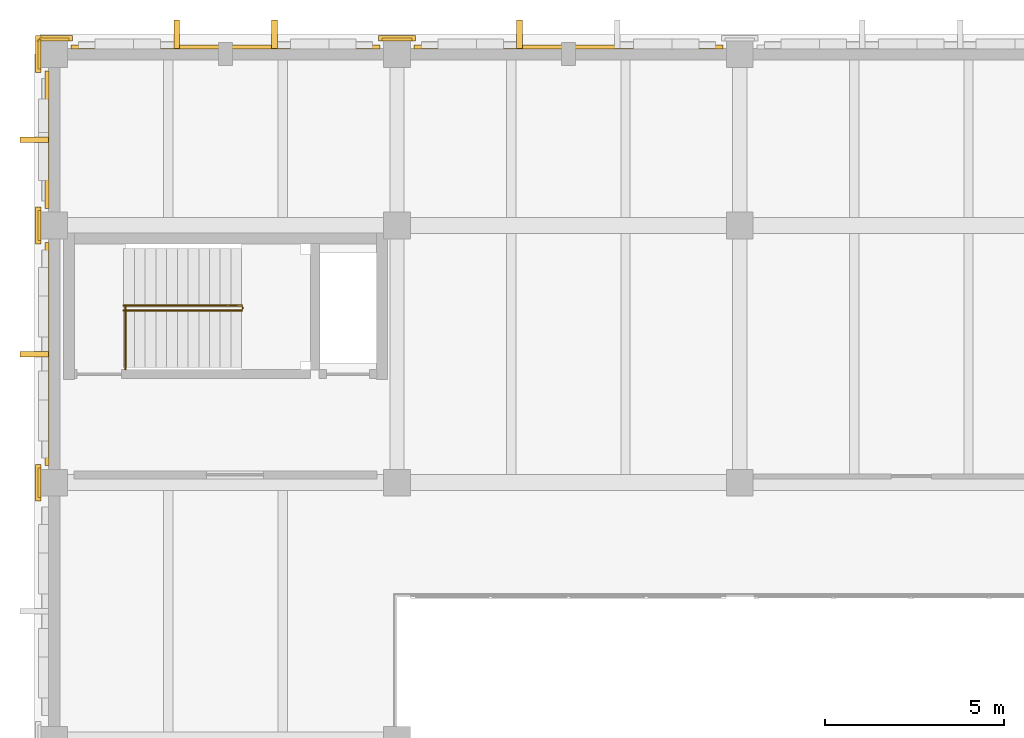
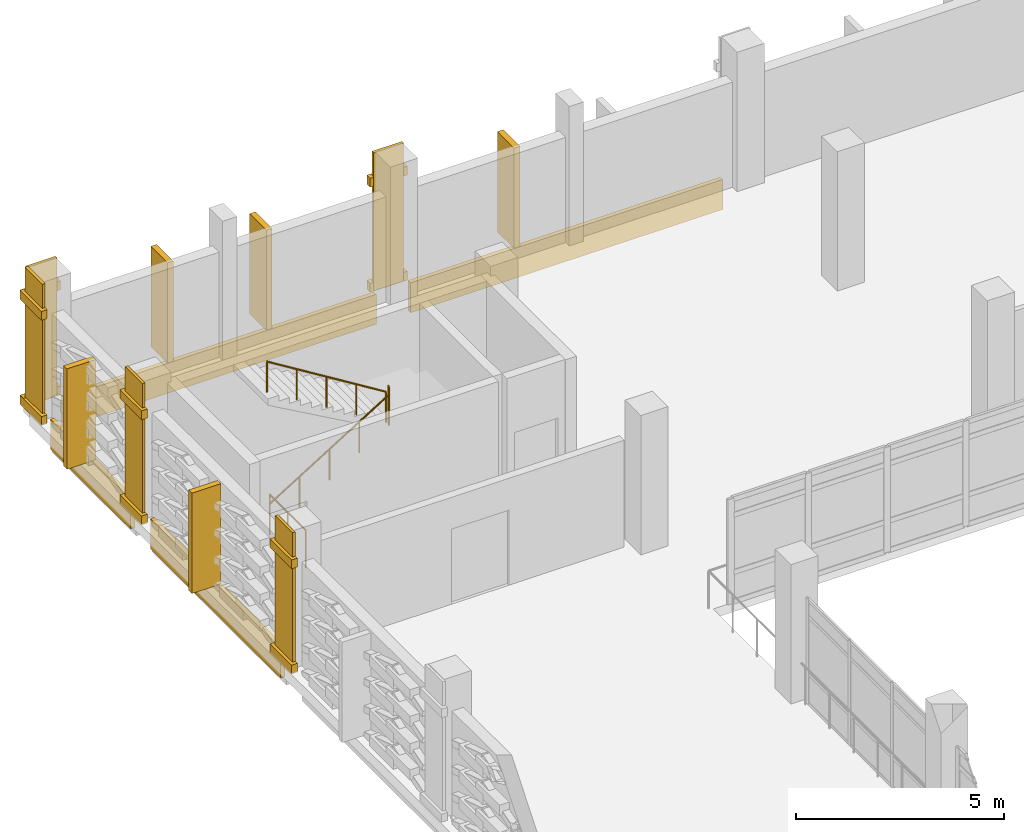
# One storey, part 171 of 180: 24 coverings, 4 railings.
"""IFC4 building model written with IfcOpenShell, lengths in metres."""

from ifc_helpers import new_model, si_unit, direction, frame, origin, origin_2d, place, context, subcontext, project, spatial, rectangle, circle, extrude, material, layer, layer_set, type_object, element, save


model = new_model("IFC4")

# Units and contexts
model_context = context("Model", 3, precision=1e-05, world=origin(), true_north=direction((0.0, 1.0)))
body_context = subcontext(model_context, "Body", "Model", "MODEL_VIEW")
ifc_project = project(units=[si_unit("LENGTHUNIT", "METRE"), si_unit("AREAUNIT", "SQUARE_METRE"), si_unit("VOLUMEUNIT", "CUBIC_METRE"), si_unit("PLANEANGLEUNIT", "RADIAN"), si_unit("MASSUNIT", "GRAM", prefix="KILO")], contexts=[model_context])

# Site, building, storey
site_placement = place(None, origin())
site = spatial("IfcSite", under=ifc_project, at=site_placement, CompositionType="ELEMENT")
building_placement = place(site_placement, origin())
building = spatial("IfcBuilding", under=site, at=building_placement, Name="Asteropetra Specialist Clinic", CompositionType="ELEMENT")
storey_placement = place(building_placement, frame((0.0, 0.0, 4.419921875)))
storey = spatial("IfcBuildingStorey", under=building, at=storey_placement, Name="L01", CompositionType="ELEMENT", Elevation=4.419921875)

# Coverings
ifc_material_1 = material(Name="Chevron terracotta deep", Category="masonry")
ifc_layer_1 = layer(ifc_material_1, 0.1201171875)
ifc_layer_set_1 = layer_set([ifc_layer_1], Name="Chevron terracotta deep")
covering_type_1 = type_object("IfcCoveringType", Name="CLD-TER-DEEP", PredefinedType="CLADDING", material=ifc_layer_set_1)
for number, where, z_axis, x_axis, name in (
    (1, (4.800048828125, 110.60009765625, -0.7998046875), (0.0, 0.0, 1.0), (1.0, 0.0, 0.0), "Chevron Spandrel Band CV-1409"),
    (2, (14.39990234375, 110.60009765625, -0.7998046875), (0.0, 0.0, 1.0), (1.0, 0.0, 0.0), "Chevron Spandrel Band CV-1410"),
):
    element("IfcCovering", number, at=place(storey_placement, frame(where, z_axis=z_axis, x_axis=x_axis)), inside=storey, type_object=covering_type_1, Name=name, PredefinedType="CLADDING", context=body_context, shape_type="SweptSolid", body=[
        extrude(rectangle(XDim=8.64990234375, YDim=0.1201171875, at=origin_2d()), origin(), (0.0, 0.0, 1.0), 0.8798828125),
    ])
covering_1_placement = place(storey_placement, frame((-0.199951171875, 102.0, -0.7998046875), z_axis=(0.0, 0.0, 1.0), x_axis=(1.0, 0.0, 0.0)))
element("IfcCovering", 3, at=covering_1_placement, inside=storey, type_object=covering_type_1, Name="Chevron Spandrel Band CV-1421", PredefinedType="CLADDING", context=body_context, shape_type="SweptSolid", body=[
    extrude(rectangle(XDim=0.1201171875, YDim=6.25, at=origin_2d()), origin(), (0.0, 0.0, 1.0), 0.8798828125),
])
covering_2_placement = place(storey_placement, frame((-0.199951171875, 108.0, -0.7998046875), z_axis=(0.0, 0.0, 1.0), x_axis=(1.0, 0.0, 0.0)))
element("IfcCovering", 4, at=covering_2_placement, inside=storey, type_object=covering_type_1, Name="Chevron Spandrel Band CV-1422", PredefinedType="CLADDING", context=body_context, shape_type="SweptSolid", body=[
    extrude(rectangle(XDim=0.1201171875, YDim=3.85009765625, at=origin_2d()), origin(), (0.0, 0.0, 1.0), 0.8798828125),
])
ifc_material_2 = material(Name="Pentelic marble ashlar", Category="masonry")
ifc_layer_2 = layer(ifc_material_2, 0.159912109375)
ifc_layer_set_2 = layer_set([ifc_layer_2], Name="Pentelic marble ashlar")
covering_type_2 = type_object("IfcCoveringType", Name="CRN-ENTAB-600", PredefinedType="MOLDING", material=ifc_layer_set_2)
covering_3_placement = place(storey_placement, frame((-0.406982421875, 98.39990234375, 0.02001953125), z_axis=(0.0, 0.0, 1.0), x_axis=(1.0, 0.0, 0.0)))
element("IfcCovering", 5, at=covering_3_placement, inside=storey, type_object=covering_type_2, Name="Neoclassical Pilaster Facing CM-0568", PredefinedType="MOLDING", context=body_context, shape_type="SweptSolid", body=[
    extrude(rectangle(XDim=0.080078125, YDim=0.830078125, at=origin_2d()), origin(), (0.0, 0.0, 1.0), 4.0400390625),
])
for number, where, z_axis, x_axis, name in (
    (6, (-0.447021484375, 98.39990234375, 0.01025390625), (0.0, 0.0, 1.0), (1.0, 0.0, 0.0), "Doric Base CC-0569"),
    (7, (-0.447021484375, 98.39990234375, 3.08984375), (0.0, 0.0, 1.0), (1.0, 0.0, 0.0), "Doric Capital CC-0570"),
):
    element("IfcCovering", number, at=place(storey_placement, frame(where, z_axis=z_axis, x_axis=x_axis)), inside=storey, type_object=covering_type_2, Name=name, PredefinedType="MOLDING", context=body_context, shape_type="SweptSolid", body=[
        extrude(rectangle(XDim=0.159912109375, YDim=1.030029296875, at=origin_2d()), origin(), (0.0, 0.0, 1.0), 0.260009765625),
    ])
covering_4_placement = place(storey_placement, frame((-0.406982421875, 105.60009765625, 0.02001953125), z_axis=(0.0, 0.0, 1.0), x_axis=(1.0, 0.0, 0.0)))
element("IfcCovering", 8, at=covering_4_placement, inside=storey, type_object=covering_type_2, Name="Neoclassical Pilaster Facing CM-0571", PredefinedType="MOLDING", context=body_context, shape_type="SweptSolid", body=[
    extrude(rectangle(XDim=0.080078125, YDim=0.830078125, at=origin_2d()), origin(), (0.0, 0.0, 1.0), 4.0400390625),
])
for number, where, z_axis, x_axis, name in (
    (9, (-0.447021484375, 105.60009765625, 0.01025390625), (0.0, 0.0, 1.0), (1.0, 0.0, 0.0), "Doric Base CC-0572"),
    (10, (-0.447021484375, 105.60009765625, 3.08984375), (0.0, 0.0, 1.0), (1.0, 0.0, 0.0), "Doric Capital CC-0573"),
):
    element("IfcCovering", number, at=place(storey_placement, frame(where, z_axis=z_axis, x_axis=x_axis)), inside=storey, type_object=covering_type_2, Name=name, PredefinedType="MOLDING", context=body_context, shape_type="SweptSolid", body=[
        extrude(rectangle(XDim=0.159912109375, YDim=1.030029296875, at=origin_2d()), origin(), (0.0, 0.0, 1.0), 0.260009765625),
    ])
covering_5_placement = place(storey_placement, frame((0.0, 110.806884765625, 0.02001953125), z_axis=(0.0, 0.0, 1.0), x_axis=(1.0, 0.0, 0.0)))
element("IfcCovering", 11, at=covering_5_placement, inside=storey, type_object=covering_type_2, Name="Neoclassical Pilaster Facing CM-0574", PredefinedType="MOLDING", context=body_context, shape_type="SweptSolid", body=[
    extrude(rectangle(XDim=0.830078125, YDim=0.080078125, at=origin_2d()), origin(), (0.0, 0.0, 1.0), 4.0400390625),
])
for number, where, z_axis, x_axis, name in (
    (12, (0.0, 110.846923828125, 0.01025390625), (0.0, 0.0, 1.0), (1.0, 0.0, 0.0), "Doric Base CC-0575"),
    (13, (0.0, 110.846923828125, 3.08984375), (0.0, 0.0, 1.0), (1.0, 0.0, 0.0), "Doric Capital CC-0576"),
):
    element("IfcCovering", number, at=place(storey_placement, frame(where, z_axis=z_axis, x_axis=x_axis)), inside=storey, type_object=covering_type_2, Name=name, PredefinedType="MOLDING", context=body_context, shape_type="SweptSolid", body=[
        extrude(rectangle(XDim=1.030029296875, YDim=0.159912109375, at=origin_2d()), origin(), (0.0, 0.0, 1.0), 0.260009765625),
    ])
covering_6_placement = place(storey_placement, frame((-0.406982421875, 110.39990234375, 0.02001953125), z_axis=(0.0, 0.0, 1.0), x_axis=(1.0, 0.0, 0.0)))
element("IfcCovering", 14, at=covering_6_placement, inside=storey, type_object=covering_type_2, Name="Neoclassical Pilaster Facing CM-0577", PredefinedType="MOLDING", context=body_context, shape_type="SweptSolid", body=[
    extrude(rectangle(XDim=0.080078125, YDim=0.830078125, at=origin_2d()), origin(), (0.0, 0.0, 1.0), 4.0400390625),
])
for number, where, z_axis, x_axis, name in (
    (15, (-0.447021484375, 110.39990234375, 0.01025390625), (0.0, 0.0, 1.0), (1.0, 0.0, 0.0), "Doric Base CC-0578"),
    (16, (-0.447021484375, 110.39990234375, 3.08984375), (0.0, 0.0, 1.0), (1.0, 0.0, 0.0), "Doric Capital CC-0579"),
):
    element("IfcCovering", number, at=place(storey_placement, frame(where, z_axis=z_axis, x_axis=x_axis)), inside=storey, type_object=covering_type_2, Name=name, PredefinedType="MOLDING", context=body_context, shape_type="SweptSolid", body=[
        extrude(rectangle(XDim=0.159912109375, YDim=1.030029296875, at=origin_2d()), origin(), (0.0, 0.0, 1.0), 0.260009765625),
    ])
covering_7_placement = place(storey_placement, frame((9.60009765625, 110.806884765625, 0.02001953125), z_axis=(0.0, 0.0, 1.0), x_axis=(1.0, 0.0, 0.0)))
element("IfcCovering", 17, at=covering_7_placement, inside=storey, type_object=covering_type_2, Name="Neoclassical Pilaster Facing CM-0583", PredefinedType="MOLDING", context=body_context, shape_type="SweptSolid", body=[
    extrude(rectangle(XDim=0.830078125, YDim=0.080078125, at=origin_2d()), origin(), (0.0, 0.0, 1.0), 4.0400390625),
])
for number, where, z_axis, x_axis, name in (
    (18, (9.60009765625, 110.846923828125, 0.01025390625), (0.0, 0.0, 1.0), (1.0, 0.0, 0.0), "Doric Base CC-0584"),
    (19, (9.60009765625, 110.846923828125, 3.08984375), (0.0, 0.0, 1.0), (1.0, 0.0, 0.0), "Doric Capital CC-0585"),
):
    element("IfcCovering", number, at=place(storey_placement, frame(where, z_axis=z_axis, x_axis=x_axis)), inside=storey, type_object=covering_type_2, Name=name, PredefinedType="MOLDING", context=body_context, shape_type="SweptSolid", body=[
        extrude(rectangle(XDim=1.030029296875, YDim=0.159912109375, at=origin_2d()), origin(), (0.0, 0.0, 1.0), 0.260009765625),
    ])
ifc_material_3 = material(Name="Pentelic marble solar fin", Category="masonry")
ifc_layer_3 = layer(ifc_material_3, 0.080078125)
ifc_layer_set_3 = layer_set([ifc_layer_3], Name="Pentelic marble solar fin")
covering_type_3 = type_object("IfcCoveringType", Name="FIN-SOLAR-800", PredefinedType="MOLDING", material=ifc_layer_set_3)
for number, where, z_axis, x_axis, name in (
    (20, (6.168212890625, 110.955078125, 0.070068359375), (0.0, 0.0, 1.0), (1.0, 0.0, 0.0), "Solar Shading Fin FN-0010"),
    (21, (3.431640625, 110.955078125, 0.070068359375), (0.0, 0.0, 1.0), (1.0, 0.0, 0.0), "Solar Shading Fin FN-0011"),
    (22, (13.03173828125, 110.955078125, 0.070068359375), (0.0, 0.0, 1.0), (1.0, 0.0, 0.0), "Solar Shading Fin FN-0013"),
):
    element("IfcCovering", number, at=place(storey_placement, frame(where, z_axis=z_axis, x_axis=x_axis)), inside=storey, type_object=covering_type_3, Name=name, PredefinedType="MOLDING", context=body_context, shape_type="SweptSolid", body=[
        extrude(rectangle(XDim=0.159912109375, YDim=0.800048828125, at=origin_2d()), origin(), (0.0, 0.0, 1.0), 2.93994140625),
    ])
for number, where, z_axis, x_axis, name in (
    (23, (-0.554931640625, 102.0, 0.070068359375), (0.0, 0.0, 1.0), (1.0, 0.0, 0.0), "Solar Shading Fin FN-0043"),
    (24, (-0.554931640625, 108.0, 0.070068359375), (0.0, 0.0, 1.0), (1.0, 0.0, 0.0), "Solar Shading Fin FN-0045"),
):
    element("IfcCovering", number, at=place(storey_placement, frame(where, z_axis=z_axis, x_axis=x_axis)), inside=storey, type_object=covering_type_3, Name=name, PredefinedType="MOLDING", context=body_context, shape_type="SweptSolid", body=[
        extrude(rectangle(XDim=0.800048828125, YDim=0.159912109375, at=origin_2d()), origin(), (0.0, 0.0, 1.0), 2.93994140625),
    ])

# Railings
ifc_material_4 = material(Name="Steel S355 and laminated glass guard", Category="steel")
railing_type_1 = type_object("IfcRailingType", Name="GRD-INT-1120", PredefinedType="GUARDRAIL", material=ifc_material_4)
railing_1_placement = place(storey_placement, frame((2.0, 101.580078125, 0.0)))
element("IfcRailing", 25, at=railing_1_placement, inside=storey, type_object=railing_type_1, Name="Stair Well Guard ST01-L00", PredefinedType="GUARDRAIL", context=body_context, shape_type="SweptSolid", body=[
    extrude(circle(Radius=0.02392578125, at=origin_2d()), frame((0.0, 0.0, 1.09619140625), z_axis=(0.0, 1.0, 0.0), x_axis=(-1.0, 0.0, 0.0)), (0.0, 0.0, 1.0), 1.72998046875),
    extrude(circle(Radius=0.02099609375, at=origin_2d()), origin(), (0.0, 0.0, 1.0), 1.072021484375),
    extrude(circle(Radius=0.02099609375, at=origin_2d()), frame((0.0, 0.864990234375, 0.0)), (0.0, 0.0, 1.0), 1.072021484375),
    extrude(circle(Radius=0.02099609375, at=origin_2d()), frame((0.0, 1.72998046875, 0.0)), (0.0, 0.0, 1.0), 1.072021484375),
])
railing_2_placement = place(storey_placement, frame((5.280029296875, 103.27001953125, 2.0400390625)))
element("IfcRailing", 26, at=railing_2_placement, inside=storey, type_object=railing_type_1, Name="Landing Slot Guard ST01-L01", PredefinedType="GUARDRAIL", context=body_context, shape_type="SweptSolid", body=[
    extrude(circle(Radius=0.02392578125, at=origin_2d()), frame((0.0, 0.0, 1.09619140625), z_axis=(0.0, 1.0, 0.0), x_axis=(-1.0, 0.0, 0.0)), (0.0, 0.0, 1.0), 0.0400390625),
    extrude(circle(Radius=0.02099609375, at=origin_2d()), origin(), (0.0, 0.0, 1.0), 1.072021484375),
    extrude(circle(Radius=0.02099609375, at=origin_2d()), frame((0.0, 0.0400390625, 0.0)), (0.0, 0.0, 1.0), 1.072021484375),
])
ifc_material_5 = material(Name="Brushed stainless steel handrail", Category="steel")
railing_type_2 = type_object("IfcRailingType", Name="HRL-STAIR-920", PredefinedType="HANDRAIL", material=ifc_material_5)
railing_3_placement = place(storey_placement, frame((1.949951171875, 103.219970703125, 0.0)))
element("IfcRailing", 27, at=railing_3_placement, inside=storey, type_object=railing_type_2, Name="Stair Handrail ST01-L01 F1", PredefinedType="HANDRAIL", context=body_context, shape_type="SweptSolid", body=[
    extrude(circle(Radius=0.02392578125, at=origin_2d()), frame((0.0, 0.0, 0.89599609375), z_axis=(0.850593546085, 0.0, 0.525823753132), x_axis=(0.0, 1.0, 0.0)), (0.0, 0.0, 1.0), 3.879638671875),
    extrude(circle(Radius=0.02099609375, at=origin_2d()), origin(), (0.0, 0.0, 1.0), 0.871826171875),
    extrude(circle(Radius=0.02099609375, at=origin_2d()), frame((0.824951171875, 0.0, 0.510009765625)), (0.0, 0.0, 1.0), 0.871826171875),
    extrude(circle(Radius=0.02099609375, at=origin_2d()), frame((1.64990234375, 0.0, 1.02001953125)), (0.0, 0.0, 1.0), 0.871826171875),
    extrude(circle(Radius=0.02099609375, at=origin_2d()), frame((2.47509765625, 0.0, 1.530029296875)), (0.0, 0.0, 1.0), 0.871826171875),
    extrude(circle(Radius=0.02099609375, at=origin_2d()), frame((3.300048828125, 0.0, 2.0400390625)), (0.0, 0.0, 1.0), 0.871826171875),
])
railing_4_placement = place(storey_placement, frame((5.25, 103.360107421875, 2.0400390625)))
element("IfcRailing", 28, at=railing_4_placement, inside=storey, type_object=railing_type_2, Name="Stair Handrail ST01-L01 F2", PredefinedType="HANDRAIL", context=body_context, shape_type="SweptSolid", body=[
    extrude(circle(Radius=0.02392578125, at=origin_2d()), frame((0.0, 0.0, 0.89599609375), z_axis=(-0.850593546085, 0.0, 0.525823753132), x_axis=(0.0, -1.0, 0.0)), (0.0, 0.0, 1.0), 3.879638671875),
    extrude(circle(Radius=0.02099609375, at=origin_2d()), origin(), (0.0, 0.0, 1.0), 0.871826171875),
    extrude(circle(Radius=0.02099609375, at=origin_2d()), frame((-0.824951171875, 0.0, 0.510009765625)), (0.0, 0.0, 1.0), 0.871826171875),
    extrude(circle(Radius=0.02099609375, at=origin_2d()), frame((-1.64990234375, 0.0, 1.02001953125)), (0.0, 0.0, 1.0), 0.871826171875),
    extrude(circle(Radius=0.02099609375, at=origin_2d()), frame((-2.47509765625, 0.0, 1.530029296875)), (0.0, 0.0, 1.0), 0.871826171875),
    extrude(circle(Radius=0.02099609375, at=origin_2d()), frame((-3.300048828125, 0.0, 2.0400390625)), (0.0, 0.0, 1.0), 0.871826171875),
])

save(model, "model.ifc")
